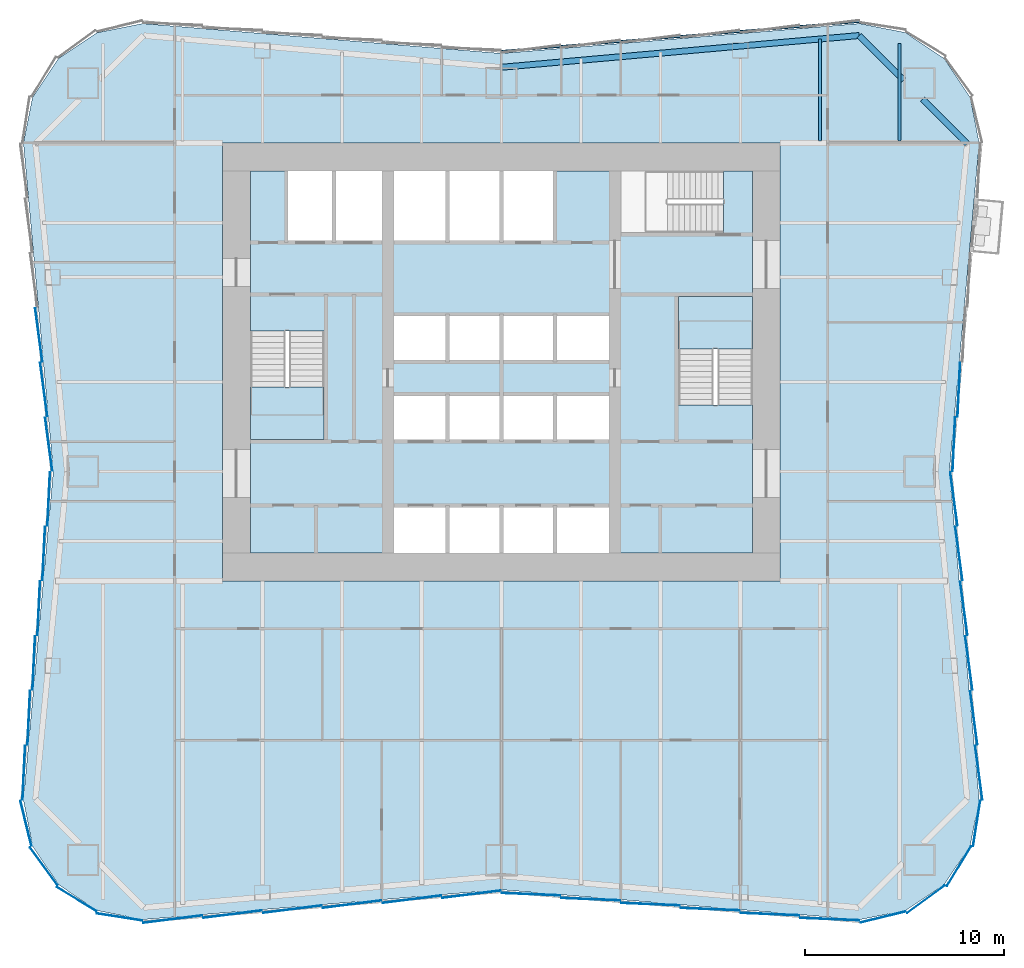
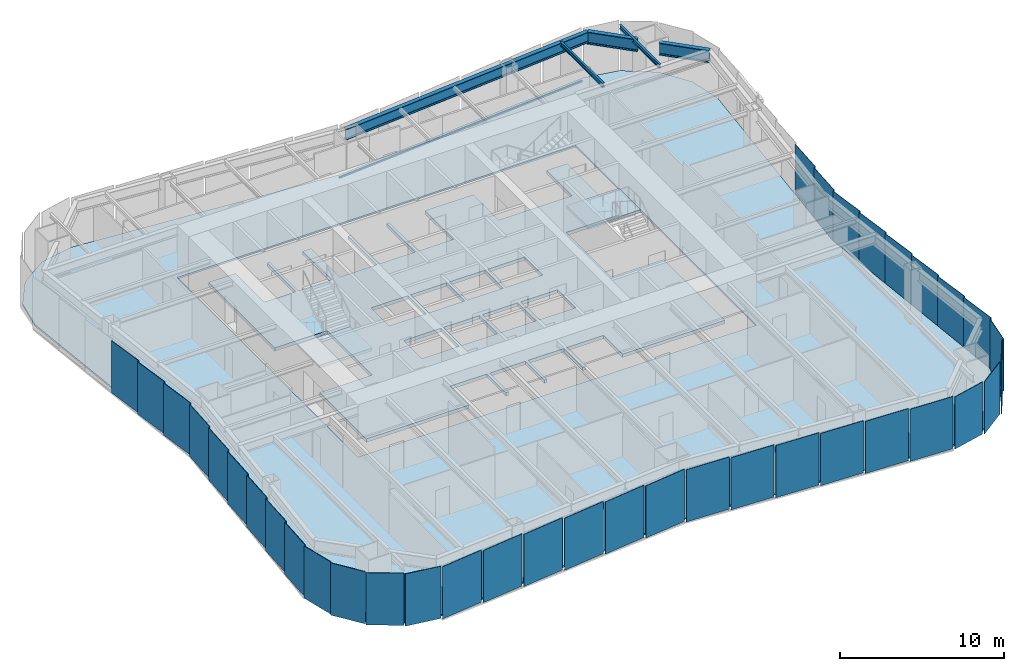
# One storey, part 2 of 8: 37 plates, 5 beams, 4 slabs, 1 member, 8 elements without a shape of their own.
"""IFC4 building model written with IfcOpenShell, lengths in metres."""

from ifc_helpers import new_model, si_unit, direction, frame, origin, origin_2d, place, context, subcontext, project, spatial, polyline, rectangle, i_section, outline, extrude, material, layer, layer_set, material_profile, profile_set, type_object, element, aggregate, save


model = new_model("IFC4")

# Units and contexts
model_context = context("Model", 3, precision=1e-05, world=origin(), true_north=direction((0.0, 1.0)))
body_context = subcontext(model_context, "Body", "Model", "MODEL_VIEW")
ifc_project = project(units=[si_unit("LENGTHUNIT", "METRE"), si_unit("AREAUNIT", "SQUARE_METRE"), si_unit("VOLUMEUNIT", "CUBIC_METRE"), si_unit("PLANEANGLEUNIT", "RADIAN"), si_unit("MASSUNIT", "GRAM", prefix="KILO")], contexts=[model_context])

# Site, building, storey
site_placement = place(None, origin())
site = spatial("IfcSite", under=ifc_project, at=site_placement, CompositionType="ELEMENT")
building_placement = place(site_placement, origin())
building = spatial("IfcBuilding", under=site, at=building_placement, Name="Verdant Reach Tower", CompositionType="ELEMENT")
storey_placement = place(building_placement, frame((0.0, 0.0, 18.0)))
storey = spatial("IfcBuildingStorey", under=building, at=storey_placement, Name="L03", CompositionType="ELEMENT", Elevation=18.0)

# Curtain wall, member
ifc_material_1 = material(Name="Anodised aluminium", Category="aluminium")
curtain_wall_type = type_object("IfcCurtainWallType", Name="EN-CW SYSTEM Z0", PredefinedType="NOTDEFINED", material=ifc_material_1)
curtain_wall_1_placement = place(storey_placement, origin())
curtain_wall_1 = element("IfcCurtainWall", 1, at=curtain_wall_1_placement, inside=storey, type_object=curtain_wall_type, Name="Curtain wall north, L03", PredefinedType="NOTDEFINED")
ifc_material_profile_1 = material_profile(ifc_material_1, rectangle(XDim=0.10009765625, YDim=0.1201171875, at=origin_2d()), Name="Transom 120x100")
ifc_profile_set_1 = profile_set([ifc_material_profile_1], Name="Anodised aluminium")
member_type = type_object("IfcMemberType", Name="EN-TRANSOM Z0", PredefinedType="USERDEFINED", material=ifc_profile_set_1)
member_placement = place(storey_placement, frame((17.975830078125, 45.097412109375, -0.2900390625), z_axis=(-0.996548656072, -0.083010698588, 0.0), x_axis=(0.083010698588, -0.996548656072, 0.0)))
member = element("IfcMember", 2, at=member_placement, type_object=member_type, Name="Transom north face part 1 1.1, L03", ObjectType="TRANSOM", PredefinedType="USERDEFINED", context=body_context, shape_type="SweptSolid", body=[
    extrude(rectangle(XDim=0.10009765625, YDim=0.1201171875, at=origin_2d()), origin(), (0.0, 0.0, 1.0), 18.00830078125),
])
aggregate(curtain_wall_1, [member])

# Beams
ifc_material_2 = material(Name="Steel S355", Category="steel")
ifc_material_profile_2 = material_profile(ifc_material_2, i_section(OverallWidth=0.14990234375, OverallDepth=0.300048828125, WebThickness=0.007080078125, FlangeThickness=0.0107421875, FilletRadius=0.014892578125, at=origin_2d()), Name="IPE 300")
ifc_profile_set_2 = profile_set([ifc_material_profile_2], Name="Steel S355")
beam_type_1 = type_object("IfcBeamType", Name="ST-JOIST-IPE300", PredefinedType="JOIST", material=ifc_profile_set_2)
beam_1_placement = place(storey_placement, frame((16.0, 39.10009765625, 3.719970703125), z_axis=(0.0, 1.0, 0.0), x_axis=(-1.0, 0.0, 0.0)))
element("IfcBeam", 3, at=beam_1_placement, inside=storey, type_object=beam_type_1, Name="Floor joist, L03", PredefinedType="JOIST", context=body_context, shape_type="SweptSolid", body=[
    extrude(i_section(OverallWidth=0.14990234375, OverallDepth=0.300048828125, WebThickness=0.007080078125, FlangeThickness=0.0107421875, FilletRadius=0.014892578125, at=origin_2d()), origin(), (0.0, 0.0, 1.0), 5.131103515625),
])
beam_2_placement = place(storey_placement, frame((20.0, 39.10009765625, 3.719970703125), z_axis=(0.0, 1.0, 0.0), x_axis=(-1.0, 0.0, 0.0)))
element("IfcBeam", 4, at=beam_2_placement, inside=storey, type_object=beam_type_1, Name="Floor joist, L03", PredefinedType="JOIST", context=body_context, shape_type="SweptSolid", body=[
    extrude(i_section(OverallWidth=0.14990234375, OverallDepth=0.300048828125, WebThickness=0.007080078125, FlangeThickness=0.0107421875, FilletRadius=0.014892578125, at=origin_2d()), origin(), (0.0, 0.0, 1.0), 4.890380859375),
])
ifc_material_profile_3 = material_profile(ifc_material_2, i_section(OverallWidth=0.300048828125, OverallDepth=0.800048828125, WebThickness=0.017578125, FlangeThickness=0.032958984375, FilletRadius=0.030029296875, at=origin_2d()), Name="HEB 800")
ifc_profile_set_3 = profile_set([ifc_material_profile_3], Name="Steel S355")
beam_type_2 = type_object("IfcBeamType", Name="ST-SPANDREL-HEB800", PredefinedType="SPANDREL", material=ifc_profile_set_3)
beam_3_placement = place(storey_placement, frame((0.0, 42.800048828125, 3.469970703125), z_axis=(0.996082370463, 0.088430262084, 0.0), x_axis=(-0.088430262084, 0.996082370463, 0.0)))
element("IfcBeam", 5, at=beam_3_placement, inside=storey, type_object=beam_type_2, Name="Edge beam, L03", PredefinedType="SPANDREL", context=body_context, shape_type="SweptSolid", body=[
    extrude(i_section(OverallWidth=0.300048828125, OverallDepth=0.800048828125, WebThickness=0.017578125, FlangeThickness=0.032958984375, FilletRadius=0.030029296875, at=origin_2d()), origin(), (0.0, 0.0, 1.0), 18.036376953125),
])
ifc_material_profile_4 = material_profile(ifc_material_2, i_section(OverallWidth=0.302001953125, OverallDepth=0.909912109375, WebThickness=0.02099609375, FlangeThickness=0.0400390625, FilletRadius=0.030029296875, at=origin_2d()), Name="HEM 900")
ifc_profile_set_4 = profile_set([ifc_material_profile_4], Name="Steel S355")
beam_type_3 = type_object("IfcBeamType", Name="ST-SPANDREL-HEM900", PredefinedType="SPANDREL", material=ifc_profile_set_4)
beam_4_placement = place(storey_placement, frame((17.9658203125, 44.39501953125, 3.4150390625), z_axis=(0.707222697162, -0.706990846206, 0.0), x_axis=(0.706990846206, 0.707222697162, 0.0)))
element("IfcBeam", 6, at=beam_4_placement, inside=storey, type_object=beam_type_3, Name="Edge beam, L03", PredefinedType="SPANDREL", context=body_context, shape_type="SweptSolid", body=[
    extrude(i_section(OverallWidth=0.302001953125, OverallDepth=0.909912109375, WebThickness=0.02099609375, FlangeThickness=0.0400390625, FilletRadius=0.030029296875, at=origin_2d()), origin(), (0.0, 0.0, 1.0), 3.158935546875),
])
beam_5_placement = place(storey_placement, frame((21.161865234375, 41.199951171875, 3.4150390625), z_axis=(0.70722277322, -0.706990770123, 0.0), x_axis=(0.706990770123, 0.70722277322, 0.0)))
element("IfcBeam", 7, at=beam_5_placement, inside=storey, type_object=beam_type_3, Name="Edge beam, L03", PredefinedType="SPANDREL", context=body_context, shape_type="SweptSolid", body=[
    extrude(i_section(OverallWidth=0.302001953125, OverallDepth=0.909912109375, WebThickness=0.02099609375, FlangeThickness=0.0400390625, FilletRadius=0.030029296875, at=origin_2d()), origin(), (0.0, 0.0, 1.0), 3.156982421875),
])

# Stair, slab
ifc_material_3 = material(Name="Concrete C40/50", Category="concrete")
stair_type = type_object("IfcStairType", Name="CO-STAIR", PredefinedType="HALF_TURN_STAIR", material=ifc_material_3)
stair_1_placement = place(storey_placement, origin())
stair_1 = element("IfcStair", 8, at=stair_1_placement, inside=storey, type_object=stair_type, Name="L03 Exit stair 1", PredefinedType="HALF_TURN_STAIR")
ifc_layer_1 = layer(ifc_material_3, 0.199951171875)
ifc_layer_set_1 = layer_set([ifc_layer_1], Name="CO-STAIR-LANDING")
slab_type_1 = type_object("IfcSlabType", Name="CO-STAIR-LANDING", PredefinedType="LANDING", material=ifc_layer_set_1)
slab_1_placement = place(storey_placement, frame((0.0, 0.0, 1.800048828125)))
slab_1 = element("IfcSlab", 9, at=slab_1_placement, type_object=slab_type_1, Name="ST-1 landing 1", PredefinedType="LANDING", context=body_context, shape_type="SweptSolid", body=[
    extrude(outline(polyline([(-12.60009765625, 26.75), (-12.60009765625, 24.10009765625), (-8.89990234375, 24.10009765625), (-8.89990234375, 26.75), (-12.60009765625, 26.75)])), origin(), (0.0, 0.0, 1.0), 0.199951171875),
])
aggregate(stair_1, [slab_1])

stair_2_placement = place(storey_placement, origin())
stair_2 = element("IfcStair", 10, at=stair_2_placement, inside=storey, type_object=stair_type, Name="L03 Exit stair 2", PredefinedType="HALF_TURN_STAIR")
slab_2_placement = place(storey_placement, frame((0.0, 0.0, 1.800048828125)))
slab_2 = element("IfcSlab", 11, at=slab_2_placement, type_object=slab_type_1, Name="ST-2 landing 1", PredefinedType="LANDING", context=body_context, shape_type="SweptSolid", body=[
    extrude(outline(polyline([(12.60009765625, 28.64990234375), (12.60009765625, 31.300048828125), (8.89990234375, 31.300048828125), (8.89990234375, 28.64990234375), (12.60009765625, 28.64990234375)])), origin(), (0.0, 0.0, 1.0), 0.199951171875),
])
aggregate(stair_2, [slab_2])

# Curtain wall, plates
curtain_wall_2_placement = place(storey_placement, origin())
curtain_wall_2 = element("IfcCurtainWall", 12, at=curtain_wall_2_placement, inside=storey, type_object=curtain_wall_type, Name="Curtain wall south-east corner, L03", PredefinedType="NOTDEFINED")
ifc_material_4 = material(Name="Tinted glass with champagne spandrel", Category="glass")
ifc_layer_2 = layer(ifc_material_4, 0.031982421875)
ifc_layer_set_2 = layer_set([ifc_layer_2], Name="EN-PANEL CHAMPAGNE")
plate_type_1 = type_object("IfcPlateType", Name="EN-PANEL CHAMPAGNE", PredefinedType="CURTAIN_PANEL", material=ifc_layer_set_2)
plate_1_placement = place(storey_placement, frame((22.974609375, 2.67626953125, -0.22998046875), z_axis=(0.0, 0.0, 1.0), x_axis=(0.520291583159, 0.853988681713, 0.0)))
plate_1 = element("IfcPlate", 13, at=plate_1_placement, type_object=plate_type_1, Name="Glass panel south-east corner 3.1, L03", PredefinedType="CURTAIN_PANEL", context=body_context, shape_type="SweptSolid", body=[
    extrude(rectangle(XDim=2.32421875, YDim=0.031982421875, at=origin_2d()), origin(), (0.0, 0.0, 1.0), 3.8798828125),
])
plate_2_placement = place(storey_placement, frame((23.86767578125, 4.830078125, -0.22998046875), z_axis=(0.0, 0.0, 1.0), x_axis=(0.154210737778, 0.988037979206, 0.0)))
plate_2 = element("IfcPlate", 14, at=plate_2_placement, type_object=plate_type_1, Name="Glass panel south-east corner 4.1, L03", PredefinedType="CURTAIN_PANEL", context=body_context, shape_type="SweptSolid", body=[
    extrude(rectangle(XDim=2.31884765625, YDim=0.031982421875, at=origin_2d()), origin(), (0.0, 0.0, 1.0), 3.8798828125),
])

curtain_wall_3_placement = place(storey_placement, origin())
curtain_wall_3 = element("IfcCurtainWall", 15, at=curtain_wall_3_placement, inside=storey, type_object=curtain_wall_type, Name="Curtain wall east, L03", PredefinedType="NOTDEFINED")
plate_3_placement = place(storey_placement, frame((23.974609375, 7.376953125, -0.22998046875), z_axis=(0.0, 0.0, 1.0), x_axis=(-0.131792939527, 0.991277267514, 0.0)))
plate_3 = element("IfcPlate", 16, at=plate_3_placement, type_object=plate_type_1, Name="Glass panel east face part 1 1.1, L03", PredefinedType="CURTAIN_PANEL", context=body_context, shape_type="SweptSolid", body=[
    extrude(rectangle(XDim=2.7197265625, YDim=0.031982421875, at=origin_2d()), origin(), (0.0, 0.0, 1.0), 3.8798828125),
])
plate_4_placement = place(storey_placement, frame((23.724609375, 10.134033203125, -0.22998046875), z_axis=(0.0, 0.0, 1.0), x_axis=(-0.132160009881, 0.99122839537, 0.0)))
plate_4 = element("IfcPlate", 17, at=plate_4_placement, type_object=plate_type_1, Name="Glass panel east face part 1 2.1, L03", PredefinedType="CURTAIN_PANEL", context=body_context, shape_type="SweptSolid", body=[
    extrude(rectangle(XDim=2.705322265625, YDim=0.031982421875, at=origin_2d()), origin(), (0.0, 0.0, 1.0), 3.8798828125),
])
plate_5_placement = place(storey_placement, frame((23.474609375, 12.884033203125, -0.22998046875), z_axis=(0.0, 0.0, 1.0), x_axis=(-0.132160009881, 0.99122839537, 0.0)))
plate_5 = element("IfcPlate", 18, at=plate_5_placement, type_object=plate_type_1, Name="Glass panel east face part 1 3.1, L03", PredefinedType="CURTAIN_PANEL", context=body_context, shape_type="SweptSolid", body=[
    extrude(rectangle(XDim=2.705322265625, YDim=0.031982421875, at=origin_2d()), origin(), (0.0, 0.0, 1.0), 3.8798828125),
])

curtain_wall_4_placement = place(storey_placement, origin())
curtain_wall_4 = element("IfcCurtainWall", 19, at=curtain_wall_4_placement, inside=storey, type_object=curtain_wall_type, Name="Curtain wall west, L03", PredefinedType="NOTDEFINED")
plate_6_placement = place(storey_placement, frame((-22.974609375, 26.615966796875, -0.22998046875), z_axis=(0.0, 0.0, 1.0), x_axis=(0.132160009881, -0.99122839537, 0.0)))
plate_6 = element("IfcPlate", 20, at=plate_6_placement, type_object=plate_type_1, Name="Glass panel west face part 1 5.1, L03", PredefinedType="CURTAIN_PANEL", context=body_context, shape_type="SweptSolid", body=[
    extrude(rectangle(XDim=2.705322265625, YDim=0.031982421875, at=origin_2d()), origin(), (0.0, 0.0, 1.0), 3.8798828125),
])
plate_7_placement = place(storey_placement, frame((-22.724853515625, 23.870361328125, -0.22998046875), z_axis=(0.0, 0.0, 1.0), x_axis=(0.132307913434, -0.991208664229, 0.0)))
plate_7 = element("IfcPlate", 21, at=plate_7_placement, type_object=plate_type_1, Name="Glass panel west face part 1 6.1, L03", PredefinedType="CURTAIN_PANEL", context=body_context, shape_type="SweptSolid", body=[
    extrude(rectangle(XDim=2.6962890625, YDim=0.031982421875, at=origin_2d()), origin(), (0.0, 0.0, 1.0), 3.8798828125),
])
plate_8_placement = place(storey_placement, frame((-22.724853515625, 21.129638671875, -0.22998046875), z_axis=(0.0, 0.0, 1.0), x_axis=(-0.048901687644, -0.998803596782, 0.0)))
plate_8 = element("IfcPlate", 22, at=plate_8_placement, type_object=plate_type_1, Name="Glass panel west face part 2 1.1, L03", PredefinedType="CURTAIN_PANEL", context=body_context, shape_type="SweptSolid", body=[
    extrude(rectangle(XDim=2.6962890625, YDim=0.031982421875, at=origin_2d()), origin(), (0.0, 0.0, 1.0), 3.8798828125),
])

curtain_wall_5_placement = place(storey_placement, origin())
curtain_wall_5 = element("IfcCurtainWall", 23, at=curtain_wall_5_placement, inside=storey, type_object=curtain_wall_type, Name="Curtain wall south, L03", PredefinedType="NOTDEFINED")
plate_9_placement = place(storey_placement, frame((-10.49169921875, 0.525390625, -0.22998046875), z_axis=(0.0, 0.0, 1.0), x_axis=(0.992194034542, 0.124703639961, 0.0)))
plate_9 = element("IfcPlate", 24, at=plate_9_placement, type_object=plate_type_1, Name="Glass panel south face part 1 3.1, L03", PredefinedType="CURTAIN_PANEL", context=body_context, shape_type="SweptSolid", body=[
    extrude(rectangle(XDim=2.954345703125, YDim=0.031982421875, at=origin_2d()), origin(), (0.0, 0.0, 1.0), 3.8798828125),
])
plate_10_placement = place(storey_placement, frame((-7.49169921875, 0.775390625, -0.22998046875), z_axis=(0.0, 0.0, 1.0), x_axis=(0.992194034542, 0.124703639961, 0.0)))
plate_10 = element("IfcPlate", 25, at=plate_10_placement, type_object=plate_type_1, Name="Glass panel south face part 1 4.1, L03", PredefinedType="CURTAIN_PANEL", context=body_context, shape_type="SweptSolid", body=[
    extrude(rectangle(XDim=2.954345703125, YDim=0.031982421875, at=origin_2d()), origin(), (0.0, 0.0, 1.0), 3.8798828125),
])
plate_11_placement = place(storey_placement, frame((-4.49169921875, 1.025390625, -0.22998046875), z_axis=(0.0, 0.0, 1.0), x_axis=(0.992194034542, 0.124703639961, 0.0)))
plate_11 = element("IfcPlate", 26, at=plate_11_placement, type_object=plate_type_1, Name="Glass panel south face part 1 5.1, L03", PredefinedType="CURTAIN_PANEL", context=body_context, shape_type="SweptSolid", body=[
    extrude(rectangle(XDim=2.954345703125, YDim=0.031982421875, at=origin_2d()), origin(), (0.0, 0.0, 1.0), 3.8798828125),
])
plate_12_placement = place(storey_placement, frame((13.49169921875, 0.275390625, -0.22998046875), z_axis=(0.0, 0.0, 1.0), x_axis=(0.999149202059, -0.041241629766, 0.0)))
plate_12 = element("IfcPlate", 27, at=plate_12_placement, type_object=plate_type_1, Name="Glass panel south face part 2 5.1, L03", PredefinedType="CURTAIN_PANEL", context=body_context, shape_type="SweptSolid", body=[
    extrude(rectangle(XDim=2.954345703125, YDim=0.031982421875, at=origin_2d()), origin(), (0.0, 0.0, 1.0), 3.8798828125),
])
plate_13_placement = place(storey_placement, frame((16.498779296875, 0.025146484375, -0.22998046875), z_axis=(0.0, 0.0, 1.0), x_axis=(0.999162442933, -0.040919587398, 0.0)))
plate_13 = element("IfcPlate", 28, at=plate_13_placement, type_object=plate_type_1, Name="Glass panel south face part 2 6.1, L03", PredefinedType="CURTAIN_PANEL", context=body_context, shape_type="SweptSolid", body=[
    extrude(rectangle(XDim=2.96826171875, YDim=0.031982421875, at=origin_2d()), origin(), (0.0, 0.0, 1.0), 3.8798828125),
])

# Plate
ifc_material_5 = material(Name="Tinted glass with copper spandrel", Category="glass")
ifc_layer_3 = layer(ifc_material_5, 0.031982421875)
ifc_layer_set_3 = layer_set([ifc_layer_3], Name="EN-PANEL COPPER")
plate_type_2 = type_object("IfcPlateType", Name="EN-PANEL COPPER", PredefinedType="CURTAIN_PANEL", material=ifc_layer_set_3)
plate_14_placement = place(storey_placement, frame((23.224609375, 15.634033203125, -0.22998046875), z_axis=(0.0, 0.0, 1.0), x_axis=(-0.132160009881, 0.99122839537, 0.0)))
plate_14 = element("IfcPlate", 29, at=plate_14_placement, type_object=plate_type_2, Name="Glass panel east face part 1 4.1, L03", PredefinedType="CURTAIN_PANEL", context=body_context, shape_type="SweptSolid", body=[
    extrude(rectangle(XDim=2.705322265625, YDim=0.031982421875, at=origin_2d()), origin(), (0.0, 0.0, 1.0), 3.8798828125),
])

plate_15_placement = place(storey_placement, frame((22.974609375, 18.384033203125, -0.22998046875), z_axis=(0.0, 0.0, 1.0), x_axis=(-0.132160009881, 0.99122839537, 0.0)))
plate_15 = element("IfcPlate", 30, at=plate_15_placement, type_object=plate_type_2, Name="Glass panel east face part 1 5.1, L03", PredefinedType="CURTAIN_PANEL", context=body_context, shape_type="SweptSolid", body=[
    extrude(rectangle(XDim=2.705322265625, YDim=0.031982421875, at=origin_2d()), origin(), (0.0, 0.0, 1.0), 3.8798828125),
])

plate_16_placement = place(storey_placement, frame((-22.974609375, 18.384033203125, -0.22998046875), z_axis=(0.0, 0.0, 1.0), x_axis=(-0.04875265175, -0.998810882473, 0.0)))
plate_16 = element("IfcPlate", 31, at=plate_16_placement, type_object=plate_type_2, Name="Glass panel west face part 2 2.1, L03", PredefinedType="CURTAIN_PANEL", context=body_context, shape_type="SweptSolid", body=[
    extrude(rectangle(XDim=2.705322265625, YDim=0.031982421875, at=origin_2d()), origin(), (0.0, 0.0, 1.0), 3.8798828125),
])

plate_17_placement = place(storey_placement, frame((-23.224609375, 15.634033203125, -0.22998046875), z_axis=(0.0, 0.0, 1.0), x_axis=(-0.04875265175, -0.998810882473, 0.0)))
plate_17 = element("IfcPlate", 32, at=plate_17_placement, type_object=plate_type_2, Name="Glass panel west face part 2 3.1, L03", PredefinedType="CURTAIN_PANEL", context=body_context, shape_type="SweptSolid", body=[
    extrude(rectangle(XDim=2.705322265625, YDim=0.031982421875, at=origin_2d()), origin(), (0.0, 0.0, 1.0), 3.8798828125),
])

# Curtain wall, plates
curtain_wall_6_placement = place(storey_placement, origin())
curtain_wall_6 = element("IfcCurtainWall", 33, at=curtain_wall_6_placement, inside=storey, type_object=curtain_wall_type, Name="Curtain wall south-west corner, L03", PredefinedType="NOTDEFINED")
plate_18_placement = place(storey_placement, frame((-23.86767578125, 4.830078125, -0.22998046875), z_axis=(0.0, 0.0, 1.0), x_axis=(0.236346786246, -0.97166876899, 0.0)))
plate_18 = element("IfcPlate", 34, at=plate_18_placement, type_object=plate_type_2, Name="Glass panel south-west corner 1.1, L03", PredefinedType="CURTAIN_PANEL", context=body_context, shape_type="SweptSolid", body=[
    extrude(rectangle(XDim=2.31884765625, YDim=0.031982421875, at=origin_2d()), origin(), (0.0, 0.0, 1.0), 3.8798828125),
])
plate_19_placement = place(storey_placement, frame((-22.974609375, 2.67626953125, -0.22998046875), z_axis=(0.0, 0.0, 1.0), x_axis=(0.589926778461, -0.807456745624, 0.0)))
plate_19 = element("IfcPlate", 35, at=plate_19_placement, type_object=plate_type_2, Name="Glass panel south-west corner 2.1, L03", PredefinedType="CURTAIN_PANEL", context=body_context, shape_type="SweptSolid", body=[
    extrude(rectangle(XDim=2.32421875, YDim=0.031982421875, at=origin_2d()), origin(), (0.0, 0.0, 1.0), 3.8798828125),
])

# Plate
plate_20_placement = place(storey_placement, frame((-1.495849609375, 1.275146484375, -0.22998046875), z_axis=(0.0, 0.0, 1.0), x_axis=(0.992179679439, 0.124817802047, 0.0)))
plate_20 = element("IfcPlate", 36, at=plate_20_placement, type_object=plate_type_2, Name="Glass panel south face part 1 6.1, L03", PredefinedType="CURTAIN_PANEL", context=body_context, shape_type="SweptSolid", body=[
    extrude(rectangle(XDim=2.946044921875, YDim=0.031982421875, at=origin_2d()), origin(), (0.0, 0.0, 1.0), 3.8798828125),
])

plate_21_placement = place(storey_placement, frame((1.495849609375, 1.275146484375, -0.22998046875), z_axis=(0.0, 0.0, 1.0), x_axis=(0.999144450138, -0.041356592674, 0.0)))
plate_21 = element("IfcPlate", 37, at=plate_21_placement, type_object=plate_type_2, Name="Glass panel south face part 2 1.1, L03", PredefinedType="CURTAIN_PANEL", context=body_context, shape_type="SweptSolid", body=[
    extrude(rectangle(XDim=2.946044921875, YDim=0.031982421875, at=origin_2d()), origin(), (0.0, 0.0, 1.0), 3.8798828125),
])

ifc_material_6 = material(Name="Tinted glass with dark bronze spandrel", Category="glass")
ifc_layer_4 = layer(ifc_material_6, 0.031982421875)
ifc_layer_set_4 = layer_set([ifc_layer_4], Name="EN-PANEL DARK")
plate_type_3 = type_object("IfcPlateType", Name="EN-PANEL DARK", PredefinedType="CURTAIN_PANEL", material=ifc_layer_set_4)
plate_22_placement = place(storey_placement, frame((19.169921875, 0.13232421875, -0.22998046875), z_axis=(0.0, 0.0, 1.0), x_axis=(0.97166347331, 0.236368556782, 0.0)))
plate_22 = element("IfcPlate", 38, at=plate_22_placement, type_object=plate_type_3, Name="Glass panel south-east corner 1.1, L03", PredefinedType="CURTAIN_PANEL", context=body_context, shape_type="SweptSolid", body=[
    extrude(rectangle(XDim=2.318603515625, YDim=0.031982421875, at=origin_2d()), origin(), (0.0, 0.0, 1.0), 3.8798828125),
])

plate_23_placement = place(storey_placement, frame((21.32373046875, 1.025390625, -0.22998046875), z_axis=(0.0, 0.0, 1.0), x_axis=(0.807456745624, 0.589926778461, 0.0)))
plate_23 = element("IfcPlate", 39, at=plate_23_placement, type_object=plate_type_3, Name="Glass panel south-east corner 2.1, L03", PredefinedType="CURTAIN_PANEL", context=body_context, shape_type="SweptSolid", body=[
    extrude(rectangle(XDim=2.32421875, YDim=0.031982421875, at=origin_2d()), origin(), (0.0, 0.0, 1.0), 3.8798828125),
])

aggregate(curtain_wall_2, [plate_22, plate_23, plate_1, plate_2])

plate_24_placement = place(storey_placement, frame((22.724853515625, 21.129638671875, -0.22998046875), z_axis=(0.0, 0.0, 1.0), x_axis=(-0.132307913434, 0.991208664229, 0.0)))
plate_24 = element("IfcPlate", 40, at=plate_24_placement, type_object=plate_type_3, Name="Glass panel east face part 1 6.1, L03", PredefinedType="CURTAIN_PANEL", context=body_context, shape_type="SweptSolid", body=[
    extrude(rectangle(XDim=2.6962890625, YDim=0.031982421875, at=origin_2d()), origin(), (0.0, 0.0, 1.0), 3.8798828125),
])

plate_25_placement = place(storey_placement, frame((22.724853515625, 23.870361328125, -0.22998046875), z_axis=(0.0, 0.0, 1.0), x_axis=(0.048901687644, 0.998803596782, 0.0)))
plate_25 = element("IfcPlate", 41, at=plate_25_placement, type_object=plate_type_3, Name="Glass panel east face part 2 1.1, L03", PredefinedType="CURTAIN_PANEL", context=body_context, shape_type="SweptSolid", body=[
    extrude(rectangle(XDim=2.6962890625, YDim=0.031982421875, at=origin_2d()), origin(), (0.0, 0.0, 1.0), 3.8798828125),
])

plate_26_placement = place(storey_placement, frame((22.974609375, 26.615966796875, -0.22998046875), z_axis=(0.0, 0.0, 1.0), x_axis=(0.04875265175, 0.998810882473, 0.0)))
plate_26 = element("IfcPlate", 42, at=plate_26_placement, type_object=plate_type_3, Name="Glass panel east face part 2 2.1, L03", PredefinedType="CURTAIN_PANEL", context=body_context, shape_type="SweptSolid", body=[
    extrude(rectangle(XDim=2.705322265625, YDim=0.031982421875, at=origin_2d()), origin(), (0.0, 0.0, 1.0), 3.8798828125),
])

aggregate(curtain_wall_3, [plate_3, plate_4, plate_5, plate_14, plate_15, plate_24, plate_25, plate_26])

plate_27_placement = place(storey_placement, frame((-23.224609375, 29.365966796875, -0.22998046875), z_axis=(0.0, 0.0, 1.0), x_axis=(0.132160009881, -0.99122839537, 0.0)))
plate_27 = element("IfcPlate", 43, at=plate_27_placement, type_object=plate_type_3, Name="Glass panel west face part 1 4.1, L03", PredefinedType="CURTAIN_PANEL", context=body_context, shape_type="SweptSolid", body=[
    extrude(rectangle(XDim=2.705322265625, YDim=0.031982421875, at=origin_2d()), origin(), (0.0, 0.0, 1.0), 3.8798828125),
])

plate_28_placement = place(storey_placement, frame((-23.474609375, 12.884033203125, -0.22998046875), z_axis=(0.0, 0.0, 1.0), x_axis=(-0.04875265175, -0.998810882473, 0.0)))
plate_28 = element("IfcPlate", 44, at=plate_28_placement, type_object=plate_type_3, Name="Glass panel west face part 2 4.1, L03", PredefinedType="CURTAIN_PANEL", context=body_context, shape_type="SweptSolid", body=[
    extrude(rectangle(XDim=2.705322265625, YDim=0.031982421875, at=origin_2d()), origin(), (0.0, 0.0, 1.0), 3.8798828125),
])

plate_29_placement = place(storey_placement, frame((-23.724609375, 10.134033203125, -0.22998046875), z_axis=(0.0, 0.0, 1.0), x_axis=(-0.04875265175, -0.998810882473, 0.0)))
plate_29 = element("IfcPlate", 45, at=plate_29_placement, type_object=plate_type_3, Name="Glass panel west face part 2 5.1, L03", PredefinedType="CURTAIN_PANEL", context=body_context, shape_type="SweptSolid", body=[
    extrude(rectangle(XDim=2.705322265625, YDim=0.031982421875, at=origin_2d()), origin(), (0.0, 0.0, 1.0), 3.8798828125),
])

plate_30_placement = place(storey_placement, frame((-23.974609375, 7.376953125, -0.22998046875), z_axis=(0.0, 0.0, 1.0), x_axis=(-0.048382779248, -0.998828867561, 0.0)))
plate_30 = element("IfcPlate", 46, at=plate_30_placement, type_object=plate_type_3, Name="Glass panel west face part 2 6.1, L03", PredefinedType="CURTAIN_PANEL", context=body_context, shape_type="SweptSolid", body=[
    extrude(rectangle(XDim=2.7197265625, YDim=0.031982421875, at=origin_2d()), origin(), (0.0, 0.0, 1.0), 3.8798828125),
])

aggregate(curtain_wall_4, [plate_27, plate_6, plate_7, plate_8, plate_16, plate_17, plate_28, plate_29, plate_30])

plate_31_placement = place(storey_placement, frame((-21.32373046875, 1.025390625, -0.22998046875), z_axis=(0.0, 0.0, 1.0), x_axis=(0.853988681713, -0.520291583159, 0.0)))
plate_31 = element("IfcPlate", 47, at=plate_31_placement, type_object=plate_type_3, Name="Glass panel south-west corner 3.1, L03", PredefinedType="CURTAIN_PANEL", context=body_context, shape_type="SweptSolid", body=[
    extrude(rectangle(XDim=2.32421875, YDim=0.031982421875, at=origin_2d()), origin(), (0.0, 0.0, 1.0), 3.8798828125),
])

plate_32_placement = place(storey_placement, frame((-19.169921875, 0.13232421875, -0.22998046875), z_axis=(0.0, 0.0, 1.0), x_axis=(0.98803452381, -0.154232875093, 0.0)))
plate_32 = element("IfcPlate", 48, at=plate_32_placement, type_object=plate_type_3, Name="Glass panel south-west corner 4.1, L03", PredefinedType="CURTAIN_PANEL", context=body_context, shape_type="SweptSolid", body=[
    extrude(rectangle(XDim=2.318603515625, YDim=0.031982421875, at=origin_2d()), origin(), (0.0, 0.0, 1.0), 3.8798828125),
])

aggregate(curtain_wall_6, [plate_18, plate_19, plate_31, plate_32])

plate_33_placement = place(storey_placement, frame((-16.498779296875, 0.025146484375, -0.22998046875), z_axis=(0.0, 0.0, 1.0), x_axis=(0.992234176789, 0.124383835008, 0.0)))
plate_33 = element("IfcPlate", 49, at=plate_33_placement, type_object=plate_type_3, Name="Glass panel south face part 1 1.1, L03", PredefinedType="CURTAIN_PANEL", context=body_context, shape_type="SweptSolid", body=[
    extrude(rectangle(XDim=2.96826171875, YDim=0.031982421875, at=origin_2d()), origin(), (0.0, 0.0, 1.0), 3.8798828125),
])

plate_34_placement = place(storey_placement, frame((-13.49169921875, 0.275390625, -0.22998046875), z_axis=(0.0, 0.0, 1.0), x_axis=(0.992194034542, 0.124703639961, 0.0)))
plate_34 = element("IfcPlate", 50, at=plate_34_placement, type_object=plate_type_3, Name="Glass panel south face part 1 2.1, L03", PredefinedType="CURTAIN_PANEL", context=body_context, shape_type="SweptSolid", body=[
    extrude(rectangle(XDim=2.954345703125, YDim=0.031982421875, at=origin_2d()), origin(), (0.0, 0.0, 1.0), 3.8798828125),
])

plate_35_placement = place(storey_placement, frame((4.49169921875, 1.025390625, -0.22998046875), z_axis=(0.0, 0.0, 1.0), x_axis=(0.999149202059, -0.041241629766, 0.0)))
plate_35 = element("IfcPlate", 51, at=plate_35_placement, type_object=plate_type_3, Name="Glass panel south face part 2 2.1, L03", PredefinedType="CURTAIN_PANEL", context=body_context, shape_type="SweptSolid", body=[
    extrude(rectangle(XDim=2.954345703125, YDim=0.031982421875, at=origin_2d()), origin(), (0.0, 0.0, 1.0), 3.8798828125),
])

plate_36_placement = place(storey_placement, frame((7.49169921875, 0.775390625, -0.22998046875), z_axis=(0.0, 0.0, 1.0), x_axis=(0.999149202059, -0.041241629766, 0.0)))
plate_36 = element("IfcPlate", 52, at=plate_36_placement, type_object=plate_type_3, Name="Glass panel south face part 2 3.1, L03", PredefinedType="CURTAIN_PANEL", context=body_context, shape_type="SweptSolid", body=[
    extrude(rectangle(XDim=2.954345703125, YDim=0.031982421875, at=origin_2d()), origin(), (0.0, 0.0, 1.0), 3.8798828125),
])

plate_37_placement = place(storey_placement, frame((10.49169921875, 0.525390625, -0.22998046875), z_axis=(0.0, 0.0, 1.0), x_axis=(0.999149202059, -0.041241629766, 0.0)))
plate_37 = element("IfcPlate", 53, at=plate_37_placement, type_object=plate_type_3, Name="Glass panel south face part 2 4.1, L03", PredefinedType="CURTAIN_PANEL", context=body_context, shape_type="SweptSolid", body=[
    extrude(rectangle(XDim=2.954345703125, YDim=0.031982421875, at=origin_2d()), origin(), (0.0, 0.0, 1.0), 3.8798828125),
])

aggregate(curtain_wall_5, [plate_33, plate_34, plate_9, plate_10, plate_11, plate_20, plate_21, plate_35, plate_36, plate_37, plate_12, plate_13])

# Slabs
ifc_material_7 = material(Name="Concrete C35/45", Category="concrete")
ifc_layer_5 = layer(ifc_material_7, 0.1298828125)
ifc_layer_set_5 = layer_set([ifc_layer_5], Name="ST-SLAB-130")
slab_type_2 = type_object("IfcSlabType", Name="ST-SLAB-130", PredefinedType="FLOOR", material=ifc_layer_set_5)
slab_3_placement = place(storey_placement, frame((0.0, 0.0, -0.1298828125)))
element("IfcSlab", 54, at=slab_3_placement, inside=storey, type_object=slab_type_2, Name="Floor slab L03", PredefinedType="FLOOR", context=body_context, shape_type="SweptSolid", body=[
    extrude(outline(polyline([(0.0, 1.5), (-18.0, 0.0), (-20.296142578125, 0.456787109375), (-22.24267578125, 1.75732421875), (-23.543212890625, 3.703857421875), (-24.0, 6.0), (-22.5, 22.5), (-24.0, 39.0), (-23.543212890625, 41.296142578125), (-22.24267578125, 43.24267578125), (-20.296142578125, 44.543212890625), (-18.0, 45.0), (0.0, 43.5), (18.0, 45.0), (20.296142578125, 44.543212890625), (22.24267578125, 43.24267578125), (23.543212890625, 41.296142578125), (24.0, 39.0), (22.5, 22.5), (24.0, 6.0), (23.543212890625, 3.703857421875), (22.24267578125, 1.75732421875), (20.296142578125, 0.456787109375), (18.0, 0.0), (0.0, 1.5)]), holes=[polyline([(14.0, 39.0), (-14.0, 39.0), (-14.0, 17.0), (14.0, 17.0), (14.0, 39.0)])]), origin(), (0.0, 0.0, 1.0), 0.1298828125),
])
ifc_layer_6 = layer(ifc_material_7, 0.25)
ifc_layer_set_6 = layer_set([ifc_layer_6], Name="ST-SLAB-250")
slab_type_3 = type_object("IfcSlabType", Name="ST-SLAB-250", PredefinedType="FLOOR", material=ifc_layer_set_6)
slab_4_placement = place(storey_placement, frame((0.0, 0.0, -0.25)))
element("IfcSlab", 55, at=slab_4_placement, inside=storey, type_object=slab_type_3, Name="Core floor slab L03", PredefinedType="FLOOR", context=body_context, shape_type="SweptSolid", body=[
    extrude(outline(polyline([(12.60009765625, 18.39990234375), (5.39990234375, 18.39990234375), (5.39990234375, 20.699951171875), (2.800048828125, 20.699951171875), (2.800048828125, 18.39990234375), (2.60009765625, 18.39990234375), (2.60009765625, 20.699951171875), (0.10009765625, 20.699951171875), (0.10009765625, 18.39990234375), (-0.10009765625, 18.39990234375), (-0.10009765625, 20.699951171875), (-2.60009765625, 20.699951171875), (-2.60009765625, 18.39990234375), (-2.800048828125, 18.39990234375), (-2.800048828125, 20.699951171875), (-5.39990234375, 20.699951171875), (-5.39990234375, 18.39990234375), (-12.60009765625, 18.39990234375), (-12.60009765625, 24.10009765625), (-8.89990234375, 24.10009765625), (-8.89990234375, 29.548095703125), (-12.60009765625, 29.548095703125), (-12.60009765625, 37.60009765625), (-10.699951171875, 37.60009765625), (-10.699951171875, 34.10009765625), (-8.5, 34.10009765625), (-8.5, 37.60009765625), (-8.300048828125, 37.60009765625), (-8.300048828125, 34.10009765625), (-6.0, 34.10009765625), (-6.0, 37.60009765625), (-5.39990234375, 37.60009765625), (-5.39990234375, 34.10009765625), (-2.800048828125, 34.10009765625), (-2.800048828125, 37.60009765625), (-2.60009765625, 37.60009765625), (-2.60009765625, 34.10009765625), (-0.10009765625, 34.10009765625), (-0.10009765625, 37.60009765625), (0.10009765625, 37.60009765625), (0.10009765625, 34.10009765625), (2.60009765625, 34.10009765625), (2.60009765625, 37.60009765625), (6.0, 37.60009765625), (6.0, 34.5), (11.14794921875, 34.5), (11.14794921875, 37.60009765625), (12.60009765625, 37.60009765625), (12.60009765625, 31.300048828125), (8.89990234375, 31.300048828125), (8.89990234375, 25.85205078125), (12.60009765625, 25.85205078125), (12.60009765625, 18.39990234375)]), holes=[polyline([(-2.800048828125, 24.10009765625), (-2.800048828125, 26.300048828125), (-5.39990234375, 26.300048828125), (-5.39990234375, 24.10009765625), (-2.800048828125, 24.10009765625)]), polyline([(-2.60009765625, 24.10009765625), (-0.10009765625, 24.10009765625), (-0.10009765625, 26.300048828125), (-2.60009765625, 26.300048828125), (-2.60009765625, 24.10009765625)]), polyline([(-2.800048828125, 28.10009765625), (-2.800048828125, 30.300048828125), (-5.39990234375, 30.300048828125), (-5.39990234375, 28.10009765625), (-2.800048828125, 28.10009765625)]), polyline([(-0.10009765625, 28.10009765625), (-0.10009765625, 30.300048828125), (-2.60009765625, 30.300048828125), (-2.60009765625, 28.10009765625), (-0.10009765625, 28.10009765625)]), polyline([(2.60009765625, 24.10009765625), (2.60009765625, 26.300048828125), (0.10009765625, 26.300048828125), (0.10009765625, 24.10009765625), (2.60009765625, 24.10009765625)]), polyline([(2.800048828125, 24.10009765625), (5.39990234375, 24.10009765625), (5.39990234375, 26.300048828125), (2.800048828125, 26.300048828125), (2.800048828125, 24.10009765625)]), polyline([(2.60009765625, 28.10009765625), (2.60009765625, 30.300048828125), (0.10009765625, 30.300048828125), (0.10009765625, 28.10009765625), (2.60009765625, 28.10009765625)]), polyline([(5.39990234375, 28.10009765625), (5.39990234375, 30.300048828125), (2.800048828125, 30.300048828125), (2.800048828125, 28.10009765625), (5.39990234375, 28.10009765625)])]), origin(), (0.0, 0.0, 1.0), 0.25),
])

save(model, "model.ifc")
